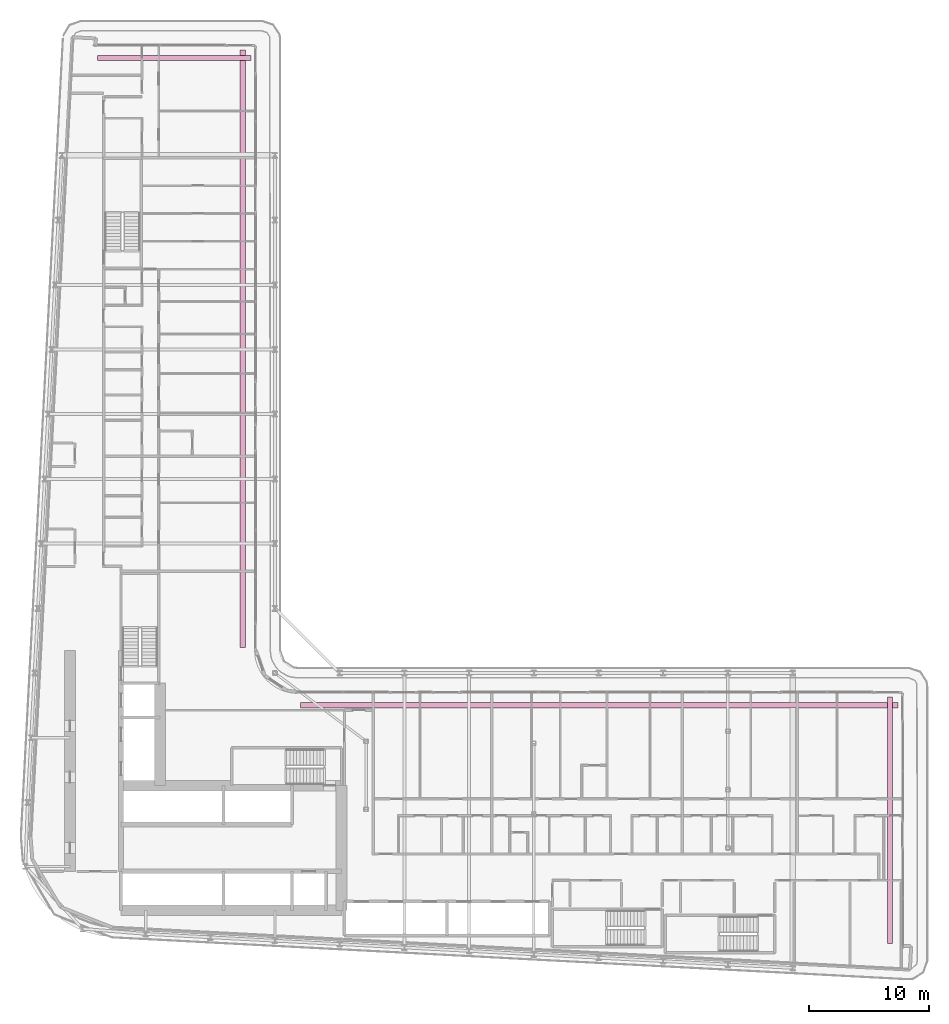
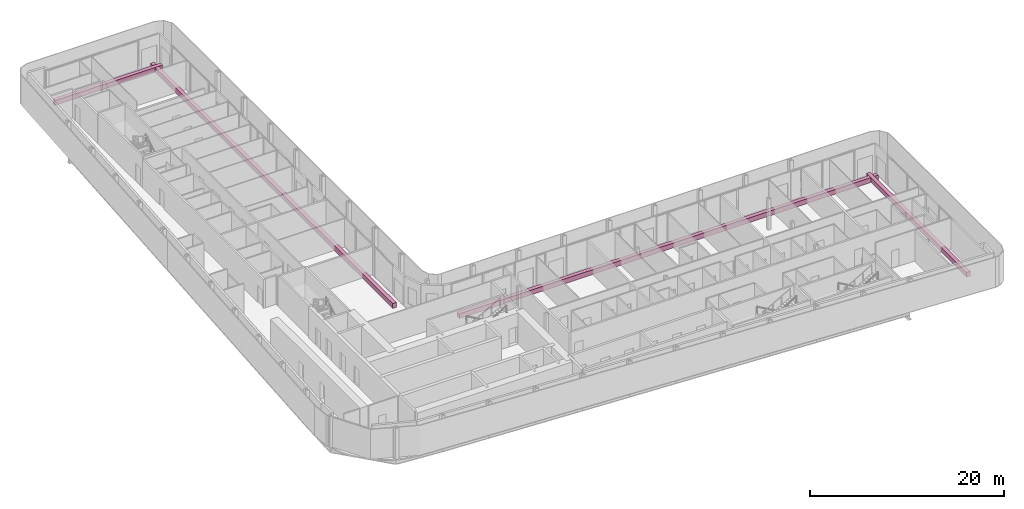
# One storey, part 28 of 28: 4 furniture elements.
"""IFC4 building model written with IfcOpenShell, lengths in metres."""

import ifcopenshell
import ifcopenshell.guid

model = None  # the IFC model being written
_history = None  # IfcOwnerHistory: only IFC2X3 demands one
_inside = {}  # id of a spatial element -> (the spatial element, [elements in it])
_under = {}  # id of a project, library or spatial element -> (it, [spatial elements below it])
_declared = {}  # id of a project -> (the project, [libraries it declares])
_typed = {}  # id of a type object -> (the type object, [elements of that type])
_made_of = {}  # id of a material, layer set ... -> (it, [elements and type objects made of it])


def new_model(schema):
    """Start an empty IFC model of exactly this schema.

    Asked for "IFC4X3", IfcOpenShell would pick the latest addendum, in which some entities
    have other attributes; the version numbers below select the first issue.
    IFC2X3 requires an IfcOwnerHistory on every rooted entity: one is made here for all.
    """
    global model, _history
    if schema == "IFC4X3":
        model = ifcopenshell.file(schema_version=(4, 3, 0, 0))
    else:
        model = ifcopenshell.file(schema=schema)
    _inside.clear()
    _under.clear()
    _declared.clear()
    _typed.clear()
    _made_of.clear()
    _history = None
    if model.schema == "IFC2X3":
        org = make("IfcOrganization", Name="unknown")
        user = make(
            "IfcPersonAndOrganization",
            ThePerson=make("IfcPerson", FamilyName="unknown"),
            TheOrganization=org,
        )
        app = make(
            "IfcApplication",
            ApplicationDeveloper=org,
            Version="unknown",
            ApplicationFullName="unknown",
            ApplicationIdentifier="unknown",
        )
        _history = make(
            "IfcOwnerHistory",
            OwningUser=user,
            OwningApplication=app,
            ChangeAction="ADDED",
            CreationDate=0,
        )
    return model


def make(cls, **values):
    """One entity of the class cls with the attributes given. An attribute that is None is left unset."""
    return model.create_entity(
        cls, **{name: value for name, value in values.items() if value is not None}
    )


def rooted(cls, **values):
    """An entity with a GlobalId (a new one), such as an element, a storey or a relation."""
    return make(cls, GlobalId=ifcopenshell.guid.new(), OwnerHistory=_history, **values)


def si_unit(unit_type, name, prefix=None):
    """IfcSIUnit, for example si_unit("LENGTHUNIT", "METRE", prefix="MILLI")."""
    return make("IfcSIUnit", UnitType=unit_type, Prefix=prefix, Name=name)


def assignment(units):
    """IfcUnitAssignment: the units of a project."""
    return None if units is None else make("IfcUnitAssignment", Units=units)


def point(xyz):
    """IfcCartesianPoint."""
    return None if xyz is None else make("IfcCartesianPoint", Coordinates=xyz)


def direction(xyz):
    """IfcDirection."""
    return None if xyz is None else make("IfcDirection", DirectionRatios=xyz)


def frame(location, z_axis=None, x_axis=None):
    """IfcAxis2Placement3D, a coordinate frame: its origin and axes. An axis left out is left unset."""
    return make(
        "IfcAxis2Placement3D",
        Location=point(location),
        Axis=direction(z_axis),
        RefDirection=direction(x_axis),
    )


def frame_2d(location, x_axis=None):
    """IfcAxis2Placement2D, a coordinate frame in the plane: its origin and x axis."""
    return make(
        "IfcAxis2Placement2D", Location=point(location), RefDirection=direction(x_axis)
    )


def origin():
    """The frame at (0, 0, 0) with its axes left unset."""
    return frame((0.0, 0.0, 0.0))


def origin_2d():
    """The frame at (0, 0) in the plane with its x axis left unset."""
    return frame_2d((0.0, 0.0))


def place(relative_to, where):
    """IfcLocalPlacement: puts the frame where relative to a parent placement (None: the world)."""
    return make(
        "IfcLocalPlacement", PlacementRelTo=relative_to, RelativePlacement=where
    )


def context(
    kind, dimensions, precision=None, world=None, true_north=None, identifier=None
):
    """IfcGeometricRepresentationContext, for example the 3D "Model" context."""
    return make(
        "IfcGeometricRepresentationContext",
        ContextIdentifier=identifier,
        ContextType=kind,
        CoordinateSpaceDimension=dimensions,
        Precision=precision,
        WorldCoordinateSystem=world,
        TrueNorth=true_north,
    )


def subcontext(parent, identifier, kind, view, scale=None):
    """IfcGeometricRepresentationSubContext, for example "Body" below "Model"."""
    return make(
        "IfcGeometricRepresentationSubContext",
        ContextIdentifier=identifier,
        ContextType=kind,
        ParentContext=parent,
        TargetScale=scale,
        TargetView=view,
    )


def project(units=None, contexts=None):
    """IfcProject with its units and contexts."""
    return rooted(
        "IfcProject",
        Name="project",
        RepresentationContexts=contexts,
        UnitsInContext=assignment(units),
    )


def spatial(cls, under=None, at=None, **own):
    """A site, building, storey or space (cls), placed at a placement, below another one or the project."""
    s = rooted(cls, ObjectPlacement=at, **own)
    if under is not None:
        _under.setdefault(under.id(), (under, []))[1].append(s)
    return s


def profile(cls, at=None, kind="AREA", **sizes):
    """A parametric profile (cls). Its sizes go by their IFC names, for example OverallWidth=200.0."""
    return make(cls, ProfileType=kind, Position=at, **sizes)


def rectangle(**sizes):
    """IfcRectangleProfileDef."""
    return profile("IfcRectangleProfileDef", **sizes)


def extrude(swept, where, along, depth):
    """IfcExtrudedAreaSolid: the profile swept, set in the frame where, extruded along a direction by depth."""
    return make(
        "IfcExtrudedAreaSolid",
        SweptArea=swept,
        Position=where,
        ExtrudedDirection=direction(along),
        Depth=depth,
    )


def shape(context_of_items, identifier, shape_type, items):
    """IfcShapeRepresentation: the items that make up one representation, for example the "Body"."""
    return make(
        "IfcShapeRepresentation",
        ContextOfItems=context_of_items,
        RepresentationIdentifier=identifier,
        RepresentationType=shape_type,
        Items=items,
    )


def material(Name=None, Category=None):
    """IfcMaterial."""
    return make("IfcMaterial", Name=Name, Category=Category)


def made_of(thing, what):
    """Note that an element or type object is made of a material, layer set ...; save() writes the relation."""
    if what is not None:
        _made_of.setdefault(what.id(), (what, []))[1].append(thing)
    return thing


def type_object(cls, material=None, **own):
    """A type object (cls), such as IfcWallType, which elements share."""
    return made_of(rooted(cls, **own), material)


def element(
    cls,
    number,
    at=None,
    inside=None,
    cuts=None,
    type_object=None,
    material=None,
    context=None,
    identifier="Body",
    shape_type=None,
    held_by="IfcProductDefinitionShape",
    body=None,
    shapes=None,
    **own,
):
    """One element of the class cls, such as IfcWall. Its Tag is "e" and its number.

    at: its placement. inside: the storey or other place that contains it. cuts: it is an
    opening in that element (IfcRelVoidsElement). A single representation is given by context,
    identifier, shape_type and body (its items); several are given by shapes. held_by: the class
    of the entity that holds the representations. save() writes the other relations.
    """
    e = rooted(cls, Tag="e%d" % number, ObjectPlacement=at, **own)
    if body is not None:
        shapes = [shape(context, identifier, shape_type, body)]
    if shapes is not None:
        e.Representation = make(held_by, Representations=shapes)
    if inside is not None:
        _inside.setdefault(inside.id(), (inside, []))[1].append(e)
    if cuts is not None:
        rooted(
            "IfcRelVoidsElement", RelatingBuildingElement=cuts, RelatedOpeningElement=e
        )
    if type_object is not None:
        _typed.setdefault(type_object.id(), (type_object, []))[1].append(e)
    return made_of(e, material)


def aggregate(whole, parts):
    """IfcRelAggregates: a whole, such as a stair, and the parts it consists of."""
    return rooted("IfcRelAggregates", RelatingObject=whole, RelatedObjects=parts)


def save(model, path):
    """Write the relations noted so far, then the file.

    IfcRelAggregates (storeys below a building ...), IfcRelContainedInSpatialStructure (elements
    in a storey), IfcRelDefinesByType, IfcRelAssociatesMaterial and IfcRelDeclares: one each for
    every whole, place, type object, material and project.
    """
    for whole, parts in _under.values():
        aggregate(whole, parts)
    for where, things in _inside.values():
        rooted(
            "IfcRelContainedInSpatialStructure",
            RelatedElements=things,
            RelatingStructure=where,
        )
    for kind, things in _typed.values():
        rooted("IfcRelDefinesByType", RelatedObjects=things, RelatingType=kind)
    for what, things in _made_of.values():
        rooted("IfcRelAssociatesMaterial", RelatedObjects=things, RelatingMaterial=what)
    for by, libraries in _declared.values():
        rooted("IfcRelDeclares", RelatingContext=by, RelatedDefinitions=libraries)
    model.write(path)


model = new_model("IFC4")

# Units and contexts
model_context = context("Model", 3, precision=1e-05, world=origin(), true_north=direction((0.0, 1.0)))
body_context = subcontext(model_context, "Body", "Model", "MODEL_VIEW")
ifc_project = project(units=[si_unit("LENGTHUNIT", "METRE"), si_unit("AREAUNIT", "SQUARE_METRE"), si_unit("VOLUMEUNIT", "CUBIC_METRE"), si_unit("PLANEANGLEUNIT", "RADIAN"), si_unit("MASSUNIT", "GRAM", prefix="KILO")], contexts=[model_context])

# Site, building, storey
site_placement = place(None, origin())
site = spatial("IfcSite", under=ifc_project, at=site_placement, CompositionType="ELEMENT")
building_placement = place(site_placement, origin())
building = spatial("IfcBuilding", under=site, at=building_placement, Name="Kheshtan School and Residences Tower", CompositionType="ELEMENT")
storey_placement = place(building_placement, frame((0.0, 0.0, 133.10009765625)))
storey = spatial("IfcBuildingStorey", under=building, at=storey_placement, Name="L31", CompositionType="ELEMENT", Elevation=133.10009765625)

# Furniture
ifc_material = material(Name="Precast concrete C30/37 in terracotta finish", Category="masonry")
furniture_type = type_object("IfcFurnitureType", Name="Planter trough", AssemblyPlace="NOTDEFINED", PredefinedType="USERDEFINED", material=ifc_material)
furniture_1_placement = place(storey_placement, frame((39.196044921875, 96.925048828125, -0.000244140625), z_axis=(0.0, 0.0, 1.0), x_axis=(1.0, 0.0, 0.0)))
element("IfcFurniture", 1, at=furniture_1_placement, inside=storey, type_object=furniture_type, Name="Planter L31", ObjectType="PLANTER", PredefinedType="USERDEFINED", context=body_context, shape_type="SweptSolid", body=[
    extrude(rectangle(XDim=12.80810546875, YDim=0.449951171875, at=origin_2d()), origin(), (0.0, 0.0, 1.0), 0.60009765625),
])
for number, where, z_axis, x_axis, name in (
    (2, (44.925048828125, 72.6650390625, -0.000244140625), (0.0, 0.0, 1.0), (0.0, -1.0, 0.0), "Planter L31"),
    (3, (74.6650390625, 42.925048828125, -0.000244140625), (0.0, 0.0, 1.0), (1.0, 0.0, 0.0), "Planter L31"),
):
    element("IfcFurniture", number, at=place(storey_placement, frame(where, z_axis=z_axis, x_axis=x_axis)), inside=storey, type_object=furniture_type, Name=name, ObjectType="PLANTER", PredefinedType="USERDEFINED", context=body_context, shape_type="SweptSolid", body=[
        extrude(rectangle(XDim=49.8701171875, YDim=0.449951171875, at=origin_2d()), origin(), (0.0, 0.0, 1.0), 0.60009765625),
    ])
furniture_2_placement = place(storey_placement, frame((98.925048828125, 33.306884765625, -0.000244140625), z_axis=(0.0, 0.0, 1.0), x_axis=(0.0, -1.0, 0.0)))
element("IfcFurniture", 4, at=furniture_2_placement, inside=storey, type_object=furniture_type, Name="Planter L31", ObjectType="PLANTER", PredefinedType="USERDEFINED", context=body_context, shape_type="SweptSolid", body=[
    extrude(rectangle(XDim=20.5859375, YDim=0.449951171875, at=origin_2d()), origin(), (0.0, 0.0, 1.0), 0.60009765625),
])

save(model, "model.ifc")
